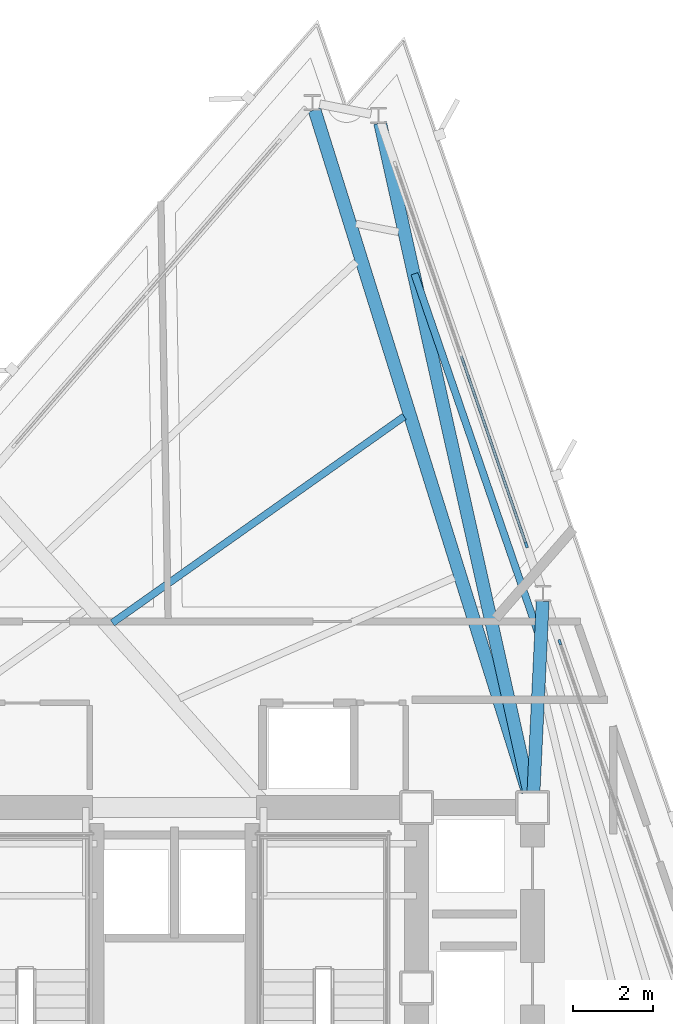
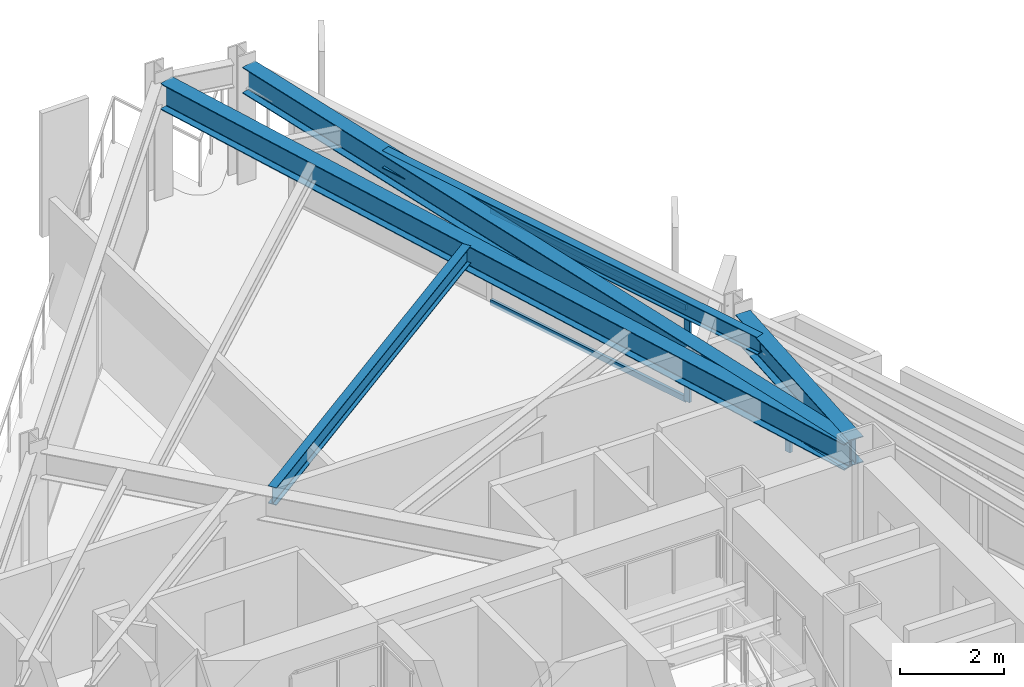
# One storey, part 5 of 13: 5 beams, 4 members, 2 elements without a shape of their own.
"""IFC4 building model written with IfcOpenShell, lengths in metres."""

from ifc_helpers import new_model, si_unit, direction, frame, origin, origin_2d, place, context, subcontext, project, spatial, rectangle, i_section, extrude, material, layer, layer_set, material_profile, profile_set, type_object, element, aggregate, save


model = new_model("IFC4")

# Units and contexts
model_context = context("Model", 3, precision=1e-05, world=origin(), true_north=direction((0.0, 1.0)))
body_context = subcontext(model_context, "Body", "Model", "MODEL_VIEW")
ifc_project = project(units=[si_unit("LENGTHUNIT", "METRE"), si_unit("AREAUNIT", "SQUARE_METRE"), si_unit("VOLUMEUNIT", "CUBIC_METRE"), si_unit("PLANEANGLEUNIT", "RADIAN"), si_unit("MASSUNIT", "GRAM", prefix="KILO")], contexts=[model_context])

# Site, building, storey
site_placement = place(None, origin())
site = spatial("IfcSite", under=ifc_project, at=site_placement, CompositionType="ELEMENT")
building_placement = place(site_placement, origin())
building = spatial("IfcBuilding", under=site, at=building_placement, Name="Rocaltana Carrier Exchange", CompositionType="ELEMENT")
storey_placement = place(building_placement, frame((0.0, 0.0, 156.320068359375)))
storey = spatial("IfcBuildingStorey", under=building, at=storey_placement, Name="L49", CompositionType="ELEMENT", Elevation=156.320068359375)

# Curtain wall, member
ifc_material_1 = material(Name="Aluminium 6063-T6", Category="aluminium")
ifc_layer = layer(ifc_material_1, 0.135009765625)
ifc_layer_set = layer_set([ifc_layer], Name="Aluminium 6063-T6")
curtain_wall_type = type_object("IfcCurtainWallType", Name="Upper-Mid Acoustic Curtain Wall CW-04", PredefinedType="NOTDEFINED", material=ifc_layer_set)
curtain_wall_1_placement = place(storey_placement, origin())
curtain_wall_1 = element("IfcCurtainWall", 1, at=curtain_wall_1_placement, inside=storey, type_object=curtain_wall_type, Name="L49 CW-04 Run CW-L49-F1S2", PredefinedType="NOTDEFINED")
ifc_material_2 = material(Name="Aluminium 6063-T6", Category="aluminium")
ifc_material_profile_1 = material_profile(ifc_material_2, rectangle(XDim=0.06494140625, YDim=0.135009765625, at=origin_2d()), Name="AL-65X135")
ifc_profile_set_1 = profile_set([ifc_material_profile_1], Name="Aluminium 6063-T6")
member_type_1 = type_object("IfcMemberType", Name="CW-04 Mullion AL-65X135", PredefinedType="MULLION", material=ifc_profile_set_1)
member_1_placement = place(storey_placement, frame((9.62548828125, 8.638671875, 0.0), z_axis=(0.0, 0.0, 1.0), x_axis=(-0.945520754562, -0.32556182622, 0.0)))
member_1 = element("IfcMember", 2, at=member_1_placement, type_object=member_type_1, Name="CW-04 mullion 3", PredefinedType="MULLION", context=body_context, shape_type="SweptSolid", body=[
    extrude(rectangle(XDim=0.06494140625, YDim=0.135009765625, at=origin_2d()), origin(), (0.0, 0.0, 1.0), 2.218017578125),
])
aggregate(curtain_wall_1, [member_1])

# Curtain wall, members
curtain_wall_2_placement = place(storey_placement, origin())
curtain_wall_2 = element("IfcCurtainWall", 3, at=curtain_wall_2_placement, inside=storey, type_object=curtain_wall_type, Name="L49 CW-04 Run CW-L49-F1S3", PredefinedType="NOTDEFINED")
member_2_placement = place(storey_placement, frame((8.79052734375, 11.063720703125, 0.0), z_axis=(0.0, 0.0, 1.0), x_axis=(-0.945521800517, -0.325558788464, 0.0)))
member_2 = element("IfcMember", 4, at=member_2_placement, type_object=member_type_1, Name="CW-04 mullion 1", PredefinedType="MULLION", context=body_context, shape_type="SweptSolid", body=[
    extrude(rectangle(XDim=0.06494140625, YDim=0.135009765625, at=origin_2d()), origin(), (0.0, 0.0, 1.0), 2.218017578125),
])
ifc_material_3 = material(Name="Aluminium 6063-T6", Category="aluminium")
ifc_material_profile_2 = material_profile(ifc_material_3, rectangle(XDim=0.06494140625, YDim=0.135009765625, at=origin_2d()), Name="AL-65X135")
ifc_profile_set_2 = profile_set([ifc_material_profile_2], Name="Aluminium 6063-T6")
member_type_2 = type_object("IfcMemberType", Name="CW-04 Transom AL-65X135", PredefinedType="USERDEFINED", material=ifc_profile_set_2)
member_3_placement = place(storey_placement, frame((8.77978515625, 11.094482421875, 0.032470703125), z_axis=(-0.325542462737, 0.945527421578, 0.0), x_axis=(-0.945527421578, -0.325542462737, 0.0)))
member_3 = element("IfcMember", 5, at=member_3_placement, type_object=member_type_2, Name="CW-04 transom 1.1", ObjectType="TRANSOM", PredefinedType="USERDEFINED", context=body_context, shape_type="SweptSolid", body=[
    extrude(rectangle(XDim=0.06494140625, YDim=0.135009765625, at=origin_2d()), origin(), (0.0, 0.0, 1.0), 4.96923828125),
])
member_4_placement = place(storey_placement, frame((8.77978515625, 11.094482421875, 2.185546875), z_axis=(-0.325542462737, 0.945527421578, 0.0), x_axis=(-0.945527421578, -0.325542462737, 0.0)))
member_4 = element("IfcMember", 6, at=member_4_placement, type_object=member_type_2, Name="CW-04 transom 1.2", ObjectType="TRANSOM", PredefinedType="USERDEFINED", context=body_context, shape_type="SweptSolid", body=[
    extrude(rectangle(XDim=0.06494140625, YDim=0.135009765625, at=origin_2d()), origin(), (0.0, 0.0, 1.0), 4.96923828125),
])
aggregate(curtain_wall_2, [member_2, member_3, member_4])

# Beams
ifc_material_4 = material(Name="Steel S355", Category="steel")
ifc_material_profile_3 = material_profile(ifc_material_4, i_section(OverallWidth=0.179931640625, OverallDepth=0.4130859375, WebThickness=0.009765625, FlangeThickness=0.01611328125, FilletRadius=0.012939453125, at=origin_2d()), Name="W16X50")
ifc_profile_set_3 = profile_set([ifc_material_profile_3], Name="Steel S355")
beam_type_1 = type_object("IfcBeamType", Name="Floor Joist W16X50", PredefinedType="JOIST", material=ifc_profile_set_3)
beam_1_placement = place(storey_placement, frame((9.1005859375, 8.8212890625, 2.58154296875), z_axis=(-0.325576687482, 0.9455156374, 0.0), x_axis=(-0.9455156374, -0.325576687482, 0.0)))
element("IfcBeam", 7, at=beam_1_placement, inside=storey, type_object=beam_type_1, Name="FJ-L49-03-3", PredefinedType="JOIST", context=body_context, shape_type="SweptSolid", body=[
    extrude(i_section(OverallWidth=0.179931640625, OverallDepth=0.4130859375, WebThickness=0.009765625, FlangeThickness=0.01611328125, FilletRadius=0.012939453125, at=origin_2d()), origin(), (0.0, 0.0, 1.0), 9.5419921875),
])
beam_2_placement = place(storey_placement, frame((5.737548828125, 14.27587890625, 2.58154296875), z_axis=(-0.816285489074, -0.577648682443, 0.0), x_axis=(0.577648682443, -0.816285489074, 0.0)))
element("IfcBeam", 8, at=beam_2_placement, inside=storey, type_object=beam_type_1, Name="FJ-L49-05-2", PredefinedType="JOIST", context=body_context, shape_type="SweptSolid", body=[
    extrude(i_section(OverallWidth=0.179931640625, OverallDepth=0.4130859375, WebThickness=0.009765625, FlangeThickness=0.01611328125, FilletRadius=0.012939453125, at=origin_2d()), origin(), (0.0, 0.0, 1.0), 8.931396484375),
])
ifc_material_5 = material(Name="Steel S355", Category="steel")
ifc_material_profile_4 = material_profile(ifc_material_5, i_section(OverallWidth=0.323974609375, OverallDepth=0.611083984375, WebThickness=0.0126953125, FlangeThickness=0.01904296875, FilletRadius=0.01611328125, at=origin_2d()), Name="W24X104")
ifc_profile_set_4 = profile_set([ifc_material_profile_4], Name="Steel S355")
beam_type_2 = type_object("IfcBeamType", Name="Radial Girder W24X104", PredefinedType="BEAM", material=ifc_profile_set_4)
beam_3_placement = place(storey_placement, frame((8.97021484375, 4.91650390625, 2.482421875), z_axis=(0.04811960059, 0.998841581052, 0.0), x_axis=(-0.998841581052, 0.04811960059, 0.0)))
element("IfcBeam", 9, at=beam_3_placement, inside=storey, type_object=beam_type_2, Name="RG-L49-03", PredefinedType="BEAM", context=body_context, shape_type="SweptSolid", body=[
    extrude(i_section(OverallWidth=0.323974609375, OverallDepth=0.611083984375, WebThickness=0.0126953125, FlangeThickness=0.01904296875, FilletRadius=0.01611328125, at=origin_2d()), origin(), (0.0, 0.0, 1.0), 4.7490234375),
])
beam_4_placement = place(storey_placement, frame((8.859375, 4.906982421875, 2.482421875), z_axis=(-0.217543729605, 0.976050575385, 0.0), x_axis=(-0.976050575385, -0.217543729605, 0.0)))
element("IfcBeam", 10, at=beam_4_placement, inside=storey, type_object=beam_type_2, Name="RG-L49-04", PredefinedType="BEAM", context=body_context, shape_type="SweptSolid", body=[
    extrude(i_section(OverallWidth=0.323974609375, OverallDepth=0.611083984375, WebThickness=0.0126953125, FlangeThickness=0.01904296875, FilletRadius=0.01611328125, at=origin_2d()), origin(), (0.0, 0.0, 1.0), 17.1123046875),
])
beam_5_placement = place(storey_placement, frame((8.825439453125, 4.89794921875, 2.482421875), z_axis=(-0.298430740748, 0.954431292958, 0.0), x_axis=(-0.954431292958, -0.298430740748, 0.0)))
element("IfcBeam", 11, at=beam_5_placement, inside=storey, type_object=beam_type_2, Name="RG-L49-05", PredefinedType="BEAM", context=body_context, shape_type="SweptSolid", body=[
    extrude(i_section(OverallWidth=0.323974609375, OverallDepth=0.611083984375, WebThickness=0.0126953125, FlangeThickness=0.01904296875, FilletRadius=0.01611328125, at=origin_2d()), origin(), (0.0, 0.0, 1.0), 17.8505859375),
])

save(model, "model.ifc")
